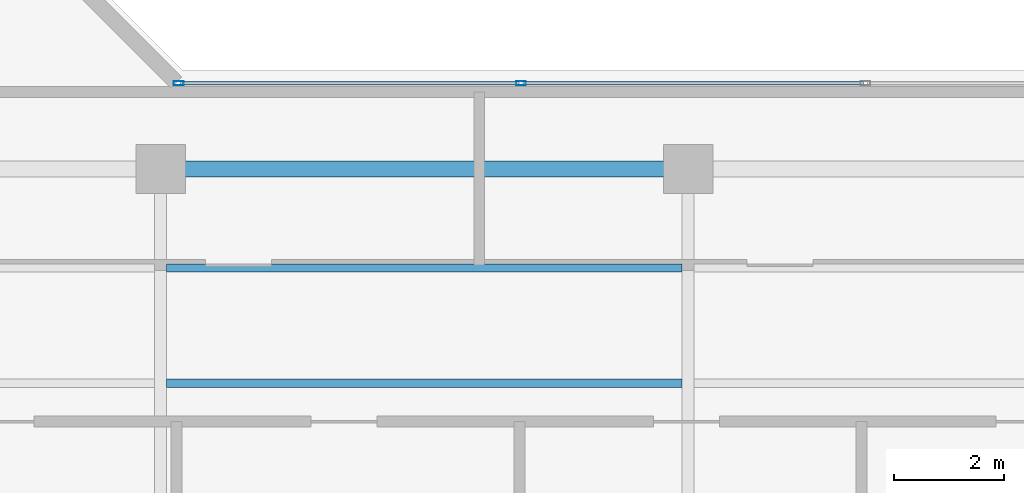
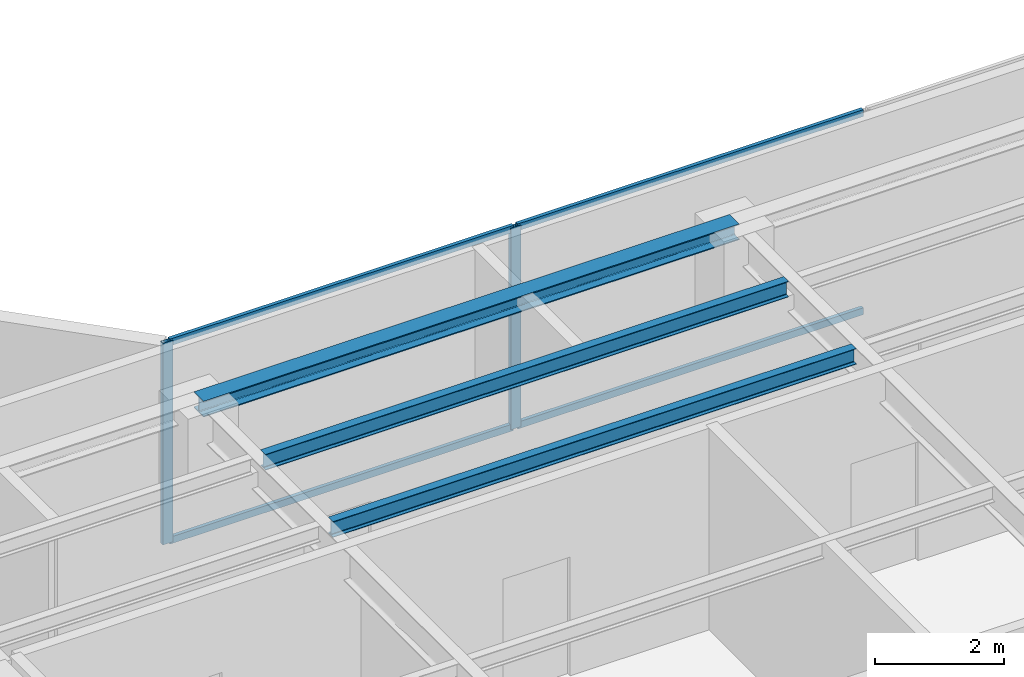
# One storey, part 7 of 24: 6 members, 3 beams, 1 element without a shape of its own.
"""IFC4 building model written with IfcOpenShell, lengths in metres."""

from ifc_helpers import new_model, si_unit, direction, frame, origin, origin_with_axes, origin_2d, place, context, subcontext, project, spatial, hollow_rectangle, i_section, extrude, source, transform, mapped, material, layer, layer_set, material_profile, profile_set, type_object, element, aggregate, save


model = new_model("IFC4")

# Units and contexts
model_context = context("Model", 3, precision=1e-05, world=origin(), true_north=direction((0.0, 1.0)))
body_context = subcontext(model_context, "Body", "Model", "MODEL_VIEW")
ifc_project = project(units=[si_unit("LENGTHUNIT", "METRE"), si_unit("AREAUNIT", "SQUARE_METRE"), si_unit("VOLUMEUNIT", "CUBIC_METRE"), si_unit("PLANEANGLEUNIT", "RADIAN"), si_unit("MASSUNIT", "GRAM", prefix="KILO")], contexts=[model_context])

# Site, building, storey
site_placement = place(None, origin())
site = spatial("IfcSite", under=ifc_project, at=site_placement, CompositionType="ELEMENT")
building_placement = place(site_placement, origin())
building = spatial("IfcBuilding", under=site, at=building_placement, Name="Kolvaren Waterfront Exchange", CompositionType="ELEMENT")
storey_placement = place(building_placement, frame((0.0, 0.0, 356.199951171875)))
storey = spatial("IfcBuildingStorey", under=building, at=storey_placement, Name="L91", CompositionType="ELEMENT", Elevation=356.199951171875)

# Beams
ifc_material_1 = material(Name="Steel S355", Category="steel")
ifc_material_profile_1 = material_profile(ifc_material_1, i_section(OverallWidth=0.300048828125, OverallDepth=0.300048828125, WebThickness=0.010986328125, FlangeThickness=0.01904296875, FilletRadius=0.027099609375, at=origin_2d()), Name="HEB300")
ifc_profile_set_1 = profile_set([ifc_material_profile_1], Name="Steel S355")
beam_type_1 = type_object("IfcBeamType", Name="STR-BM-HEB300", PredefinedType="SPANDREL", material=ifc_profile_set_1)
beam_placement = place(storey_placement, frame((27.199951171875, 17.39990234375, 3.670166015625), z_axis=(1.0, 0.0, 0.0), x_axis=(0.0, 1.0, 0.0)))
element("IfcBeam", 1, at=beam_placement, inside=storey, type_object=beam_type_1, Name="L91 east-arm spandrel N2", PredefinedType="SPANDREL", context=body_context, shape_type="SweptSolid", body=[
    extrude(i_section(OverallWidth=0.300048828125, OverallDepth=0.300048828125, WebThickness=0.010986328125, FlangeThickness=0.01904296875, FilletRadius=0.027099609375, at=origin_2d()), origin(), (0.0, 0.0, 1.0), 9.60009765625),
])
ifc_material_profile_2 = material_profile(ifc_material_1, i_section(OverallWidth=0.14990234375, OverallDepth=0.300048828125, WebThickness=0.007080078125, FlangeThickness=0.0107421875, FilletRadius=0.014892578125, at=origin_2d()), Name="IPE300")
ifc_profile_set_2 = profile_set([ifc_material_profile_2], Name="Steel S355")
beam_type_2 = type_object("IfcBeamType", Name="STR-BM-IPE300", PredefinedType="JOIST", material=ifc_profile_set_2)
for number, where, z_axis, x_axis, name in (
    (2, (27.31201171875, 13.5, 3.670166015625), (1.0, 0.0, 0.0), (0.0, 1.0, 0.0), "L91 east-arm composite joist 2A"),
    (3, (27.31201171875, 15.60009765625, 3.670166015625), (1.0, 0.0, 0.0), (0.0, 1.0, 0.0), "L91 east-arm composite joist 2C"),
):
    element("IfcBeam", number, at=place(storey_placement, frame(where, z_axis=z_axis, x_axis=x_axis)), inside=storey, type_object=beam_type_2, Name=name, PredefinedType="JOIST", context=body_context, shape_type="SweptSolid", body=[
        extrude(i_section(OverallWidth=0.14990234375, OverallDepth=0.300048828125, WebThickness=0.007080078125, FlangeThickness=0.0107421875, FilletRadius=0.014892578125, at=origin_2d()), origin(), (0.0, 0.0, 1.0), 9.3759765625),
    ])

# Curtain wall, members
ifc_material_2 = material(Name="Anodised dark bronze spandrel aluminium", Category="aluminium")
ifc_layer = layer(ifc_material_2, 0.219970703125, Name="Anodised dark bronze spandrel aluminium")
ifc_layer_set = layer_set([ifc_layer], Name="Anodised dark bronze spandrel aluminium")
curtain_wall_type = type_object("IfcCurtainWallType", Name="ARC-CW-SYS6", PredefinedType="USERDEFINED", material=ifc_layer_set)
curtain_wall_placement = place(storey_placement, origin())
curtain_wall = element("IfcCurtainWall", 4, at=curtain_wall_placement, inside=storey, type_object=curtain_wall_type, Name="L91 stick curtain wall CW6 (CW-L91-EN)", ObjectType="STICK CURTAIN WALL", PredefinedType="USERDEFINED")
ifc_material_3 = material(Name="Anodised bronze aluminium 6063-T6", Category="aluminium")
ifc_material_profile_3 = material_profile(ifc_material_3, hollow_rectangle(XDim=0.074951171875, YDim=0.179931640625, WallThickness=0.00439453125, at=origin_2d()), Name="ALU-MUL-180x75x4.5")
ifc_profile_set_3 = profile_set([ifc_material_profile_3], Name="Anodised bronze aluminium 6063-T6")
member_type_1 = type_object("IfcMemberType", Name="ARC-CWM-180", PredefinedType="MULLION", material=ifc_profile_set_3)
shared_shape_1 = source(origin_with_axes(), body_context, "Body", "SweptSolid", [
    extrude(hollow_rectangle(XDim=0.074951171875, YDim=0.179931640625, WallThickness=0.00439453125, at=origin_2d()), origin(), (0.0, 0.0, 1.0), 3.820068359375),
])
member_1_placement = place(storey_placement, frame((27.527587890625, 18.9599609375, 0.0), z_axis=(0.0, 0.0, 1.0), x_axis=(0.0, 1.0, 0.0)))
member_1 = element("IfcMember", 5, at=member_1_placement, type_object=member_type_1, Name="CW6 mullion 1", PredefinedType="MULLION", context=body_context, shape_type="MappedRepresentation", body=[
    mapped(shared_shape_1, transform((0.0, 0.0, 0.0), x_axis=(1.0, 0.0, 0.0), y_axis=(0.0, 1.0, 0.0), z_axis=(0.0, 0.0, 1.0), scale=1.0)),
])
member_2_placement = place(storey_placement, frame((33.760009765625, 18.9599609375, 0.0), z_axis=(0.0, 0.0, 1.0), x_axis=(0.0, 1.0, 0.0)))
member_2 = element("IfcMember", 6, at=member_2_placement, type_object=member_type_1, Name="CW6 mullion 2", PredefinedType="MULLION", context=body_context, shape_type="MappedRepresentation", body=[
    mapped(shared_shape_1, transform((0.0, 0.0, 0.0), x_axis=(1.0, 0.0, 0.0), y_axis=(0.0, 1.0, 0.0), z_axis=(0.0, 0.0, 1.0), scale=1.0)),
])
ifc_material_profile_4 = material_profile(ifc_material_3, hollow_rectangle(XDim=0.06494140625, YDim=0.1298828125, WallThickness=0.00390625, at=origin_2d()), Name="ALU-TRN-130x65x4")
ifc_profile_set_4 = profile_set([ifc_material_profile_4], Name="Anodised bronze aluminium 6063-T6")
member_type_2 = type_object("IfcMemberType", Name="ARC-CWT-130", PredefinedType="USERDEFINED", material=ifc_profile_set_4)
shared_shape_2 = source(origin_with_axes(), body_context, "Body", "SweptSolid", [
    extrude(hollow_rectangle(XDim=0.06494140625, YDim=0.1298828125, WallThickness=0.00390625, at=origin_2d()), origin(), (0.0, 0.0, 1.0), 6.157470703125),
])
member_3_placement = place(storey_placement, frame((27.56494140625, 18.9599609375, 0.032470703125), z_axis=(1.0, 0.0, 0.0), x_axis=(0.0, 1.0, 0.0)))
member_3 = element("IfcMember", 7, at=member_3_placement, type_object=member_type_2, Name="CW6 transom 1.1", ObjectType="TRANSOM", PredefinedType="USERDEFINED", context=body_context, shape_type="MappedRepresentation", body=[
    mapped(shared_shape_2, transform((0.0, 0.0, 0.0), x_axis=(1.0, 0.0, 0.0), y_axis=(0.0, 1.0, 0.0), z_axis=(0.0, 0.0, 1.0), scale=1.0)),
])
member_4_placement = place(storey_placement, frame((27.56494140625, 18.9599609375, 3.78759765625), z_axis=(1.0, 0.0, 0.0), x_axis=(0.0, 1.0, 0.0)))
member_4 = element("IfcMember", 8, at=member_4_placement, type_object=member_type_2, Name="CW6 transom 1.2", ObjectType="TRANSOM", PredefinedType="USERDEFINED", context=body_context, shape_type="MappedRepresentation", body=[
    mapped(shared_shape_2, transform((0.0, 0.0, 0.0), x_axis=(1.0, 0.0, 0.0), y_axis=(0.0, 1.0, 0.0), z_axis=(0.0, 0.0, 1.0), scale=1.0)),
])
shared_shape_3 = source(origin_with_axes(), body_context, "Body", "SweptSolid", [
    extrude(hollow_rectangle(XDim=0.06494140625, YDim=0.1298828125, WallThickness=0.00390625, at=origin_2d()), origin(), (0.0, 0.0, 1.0), 6.19482421875),
])
member_5_placement = place(storey_placement, frame((33.797607421875, 18.9599609375, 0.032470703125), z_axis=(1.0, 0.0, 0.0), x_axis=(0.0, 1.0, 0.0)))
member_5 = element("IfcMember", 9, at=member_5_placement, type_object=member_type_2, Name="CW6 transom 2.1", ObjectType="TRANSOM", PredefinedType="USERDEFINED", context=body_context, shape_type="MappedRepresentation", body=[
    mapped(shared_shape_3, transform((0.0, 0.0, 0.0), x_axis=(1.0, 0.0, 0.0), y_axis=(0.0, 1.0, 0.0), z_axis=(0.0, 0.0, 1.0), scale=1.0)),
])
member_6_placement = place(storey_placement, frame((33.797607421875, 18.9599609375, 3.78759765625), z_axis=(1.0, 0.0, 0.0), x_axis=(0.0, 1.0, 0.0)))
member_6 = element("IfcMember", 10, at=member_6_placement, type_object=member_type_2, Name="CW6 transom 2.2", ObjectType="TRANSOM", PredefinedType="USERDEFINED", context=body_context, shape_type="MappedRepresentation", body=[
    mapped(shared_shape_3, transform((0.0, 0.0, 0.0), x_axis=(1.0, 0.0, 0.0), y_axis=(0.0, 1.0, 0.0), z_axis=(0.0, 0.0, 1.0), scale=1.0)),
])
aggregate(curtain_wall, [member_1, member_2, member_3, member_4, member_5, member_6])

save(model, "model.ifc")
